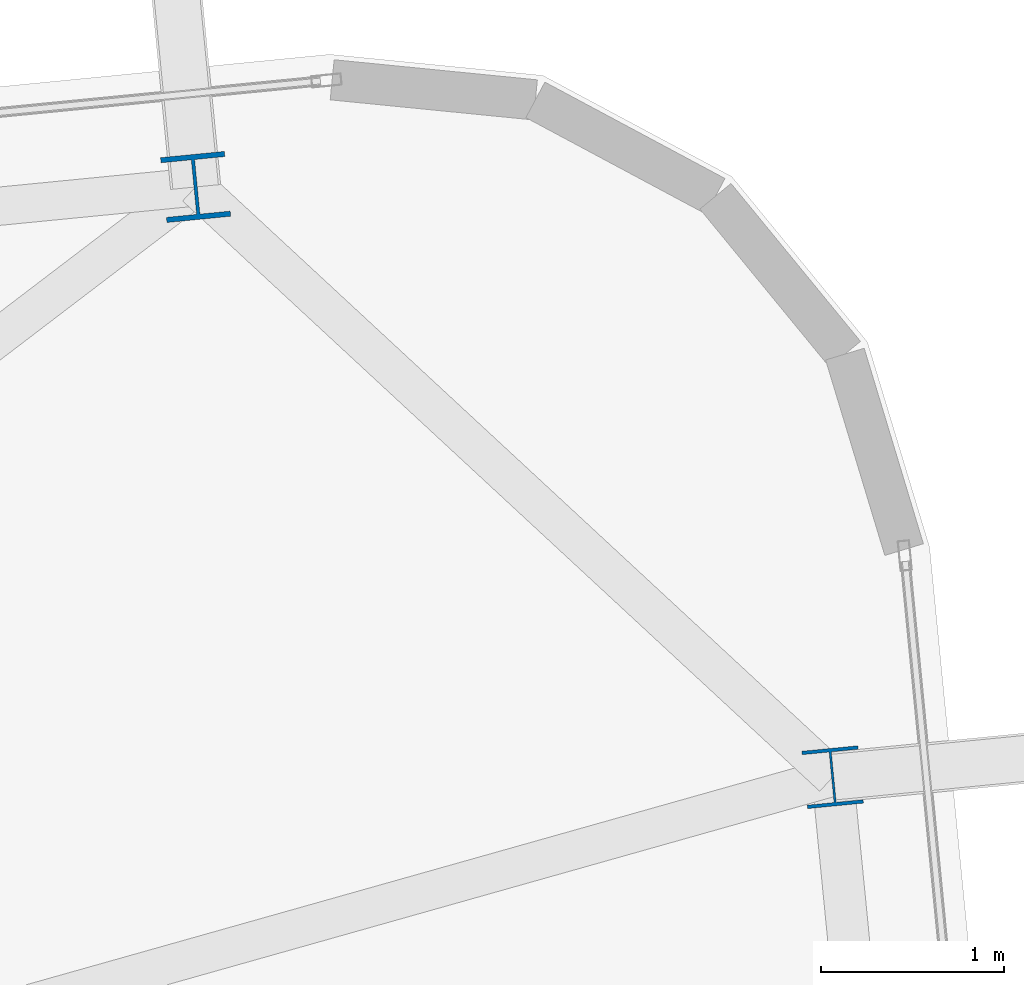
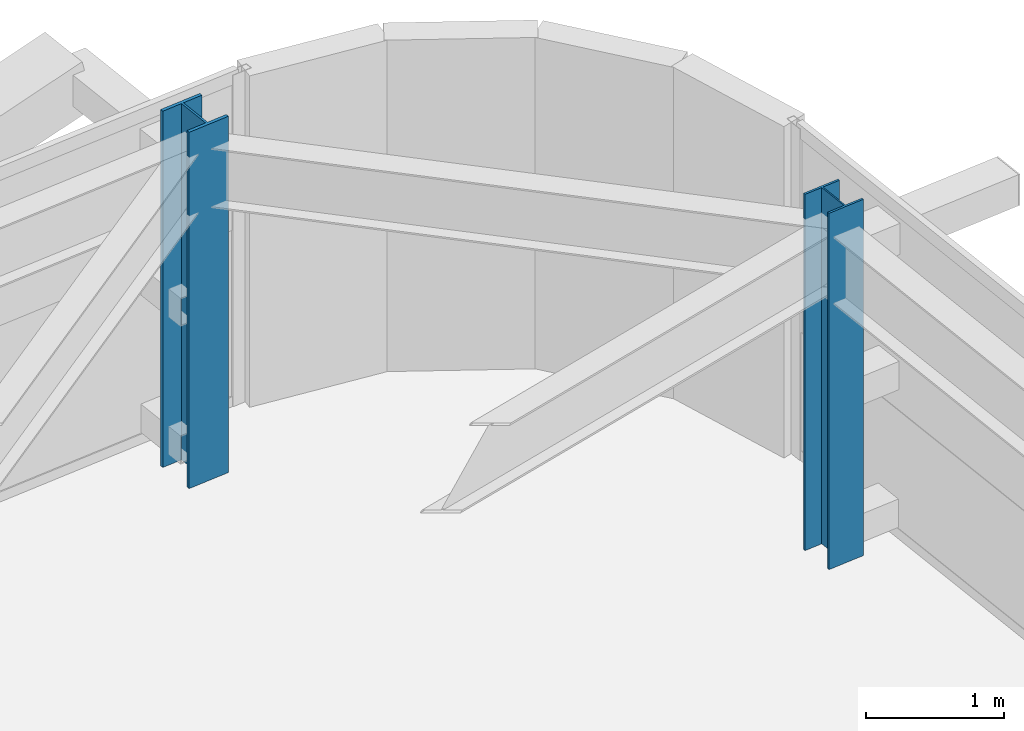
# One storey, part 4 of 47: 2 columns.
"""IFC4 building model written with IfcOpenShell, lengths in metres."""

from ifc_helpers import new_model, si_unit, direction, frame, origin, origin_2d, place, context, subcontext, project, spatial, i_section, extrude, source, transform, mapped, material, material_profile, profile_set, type_object, element, save


model = new_model("IFC4")

# Units and contexts
model_context = context("Model", 3, precision=1e-05, world=origin(), true_north=direction((0.0, 1.0)))
body_context = subcontext(model_context, "Body", "Model", "MODEL_VIEW")
ifc_project = project(units=[si_unit("LENGTHUNIT", "METRE"), si_unit("AREAUNIT", "SQUARE_METRE"), si_unit("VOLUMEUNIT", "CUBIC_METRE"), si_unit("PLANEANGLEUNIT", "RADIAN"), si_unit("MASSUNIT", "GRAM", prefix="KILO")], contexts=[model_context])

# Site, building, storey
site_placement = place(None, origin())
site = spatial("IfcSite", under=ifc_project, at=site_placement, CompositionType="ELEMENT")
building_placement = place(site_placement, origin())
building = spatial("IfcBuilding", under=site, at=building_placement, Name="Taldren Reach Tower", CompositionType="ELEMENT")
storey_placement = place(building_placement, frame((0.0, 0.0, 106.050048828125)))
storey = spatial("IfcBuildingStorey", under=building, at=storey_placement, Name="L32", CompositionType="ELEMENT", Elevation=106.050048828125)

# Columns
ifc_material = material(Name="Steel Gr 350 (350PLUS)", Category="steel")
ifc_material_profile_1 = material_profile(ifc_material, i_section(OverallWidth=0.35009765625, OverallDepth=0.35595703125, WebThickness=0.01806640625, FlangeThickness=0.028076171875, at=origin_2d()), Name="350WC197")
ifc_profile_set_1 = profile_set([ifc_material_profile_1], Name="Steel Gr 350 (350PLUS)")
column_type_1 = type_object("IfcColumnType", Name="COL-WC350", PredefinedType="COLUMN", material=ifc_profile_set_1)
shared_shape_1 = source(origin(), body_context, "Body", "SweptSolid", [
    extrude(i_section(OverallWidth=0.35009765625, OverallDepth=0.35595703125, WebThickness=0.01806640625, FlangeThickness=0.028076171875, at=origin_2d()), origin(), (0.0, 0.0, 1.0), 3.14990234375),
])
column_1_placement = place(storey_placement, frame((59.765869140625, 38.679931640625, 0.0), z_axis=(0.0, 0.0, 1.0), x_axis=(0.995227399982, 0.097582899759, 0.0)))
element("IfcColumn", 1, at=column_1_placement, inside=storey, type_object=column_type_1, Name="Block B2 perimeter column N6 L32", PredefinedType="COLUMN", context=body_context, shape_type="MappedRepresentation", body=[
    mapped(shared_shape_1, transform((0.0, 0.0, 0.0), scale=1.0)),
])
ifc_material_profile_2 = material_profile(ifc_material, i_section(OverallWidth=0.306884765625, OverallDepth=0.31494140625, WebThickness=0.011962890625, FlangeThickness=0.018798828125, at=origin_2d()), Name="310UC118")
ifc_profile_set_2 = profile_set([ifc_material_profile_2], Name="Steel Gr 350 (350PLUS)")
column_type_2 = type_object("IfcColumnType", Name="COL-UC310B", PredefinedType="COLUMN", material=ifc_profile_set_2)
shared_shape_2 = source(origin(), body_context, "Body", "SweptSolid", [
    extrude(i_section(OverallWidth=0.306884765625, OverallDepth=0.31494140625, WebThickness=0.011962890625, FlangeThickness=0.018798828125, at=origin_2d()), origin(), (0.0, 0.0, 1.0), 3.14990234375),
])
column_2_placement = place(storey_placement, frame((63.247314453125, 35.454345703125, 0.0), z_axis=(0.0, 0.0, 1.0), x_axis=(0.995227399982, 0.097582899759, 0.0)))
element("IfcColumn", 2, at=column_2_placement, inside=storey, type_object=column_type_2, Name="Block B2 perimeter column E3 L32", PredefinedType="COLUMN", context=body_context, shape_type="MappedRepresentation", body=[
    mapped(shared_shape_2, transform((0.0, 0.0, 0.0), scale=1.0)),
])

save(model, "model.ifc")
